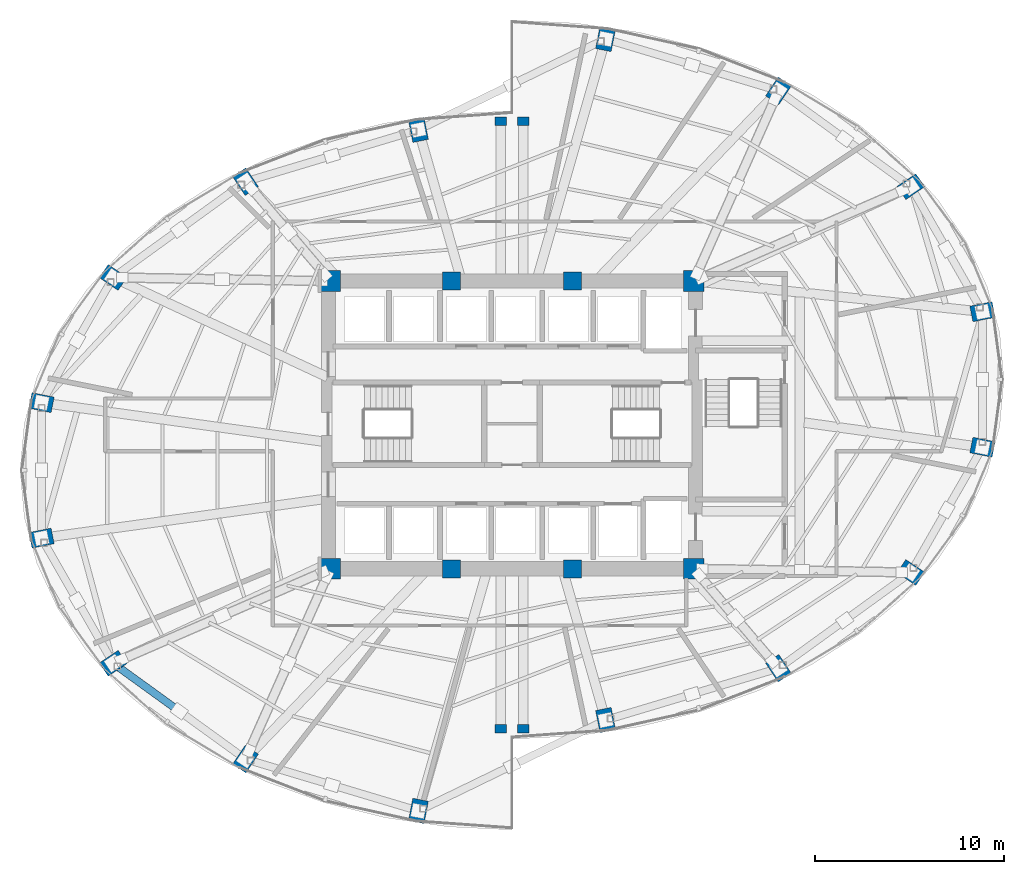
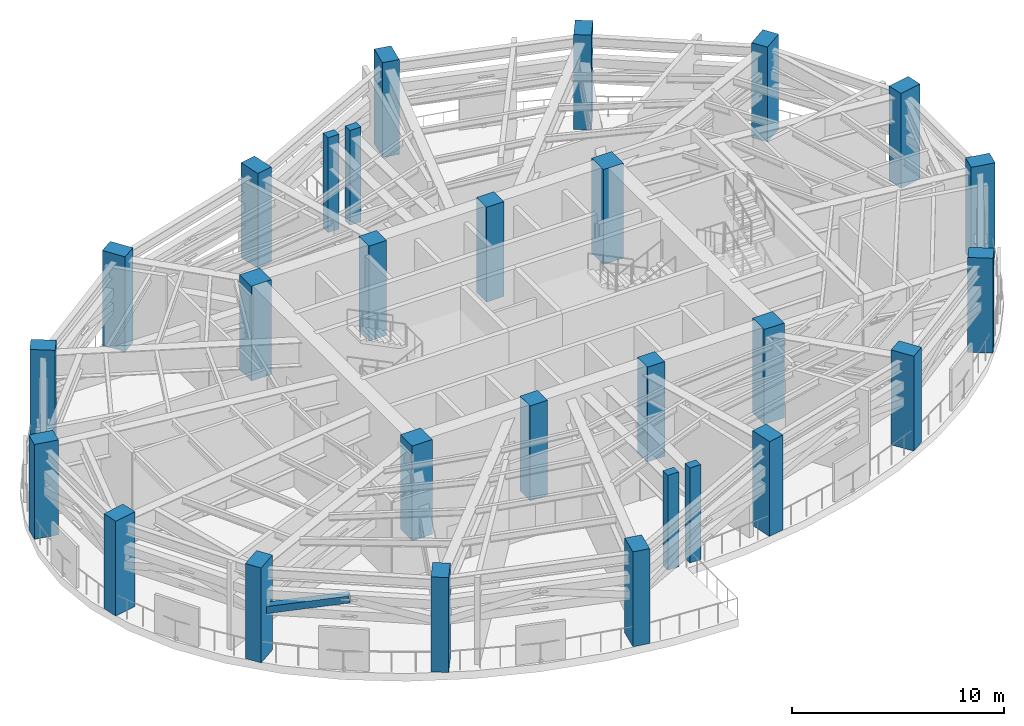
# One storey, part 1 of 12: 28 columns, 1 member.
"""IFC4 building model written with IfcOpenShell, lengths in metres."""

from ifc_helpers import new_model, si_unit, direction, frame, origin, origin_2d, place, context, subcontext, project, spatial, rectangle, hollow_rectangle, extrude, material, material_profile, profile_set, type_object, element, save


model = new_model("IFC4")

# Units and contexts
model_context = context("Model", 3, precision=1e-05, world=origin(), true_north=direction((0.0, 1.0)))
body_context = subcontext(model_context, "Body", "Model", "MODEL_VIEW")
ifc_project = project(units=[si_unit("LENGTHUNIT", "METRE"), si_unit("AREAUNIT", "SQUARE_METRE"), si_unit("VOLUMEUNIT", "CUBIC_METRE"), si_unit("PLANEANGLEUNIT", "RADIAN"), si_unit("MASSUNIT", "GRAM", prefix="KILO")], contexts=[model_context])

# Site, building, storey
site_placement = place(None, origin())
site = spatial("IfcSite", under=ifc_project, at=site_placement, CompositionType="ELEMENT")
building_placement = place(site_placement, origin())
building = spatial("IfcBuilding", under=site, at=building_placement, Name="Lazwardi Medical Tower", CompositionType="ELEMENT")
storey_placement = place(building_placement, frame((0.0, 0.0, 132.81591796875)))
storey = spatial("IfcBuildingStorey", under=building, at=storey_placement, Name="L34", CompositionType="ELEMENT", Elevation=132.81591796875)

# Columns
ifc_material_1 = material(Name="Concrete C80/95", Category="concrete")
ifc_material_profile_1 = material_profile(ifc_material_1, rectangle(XDim=1.10009765625, YDim=1.10009765625, at=origin_2d()), Name="RC 1100x1100")
ifc_profile_set_1 = profile_set([ifc_material_profile_1], Name="Concrete C80/95")
column_type_1 = type_object("IfcColumnType", Name="COL-CC-L", PredefinedType="COLUMN", material=ifc_profile_set_1)
for number, where, z_axis, x_axis, name in (
    (1, (26.39990234375, 20.39990234375, 0.0), (0.0, 0.0, 1.0), (1.0, 0.0, 0.0), "Core column CC-01 CC1 L34"),
    (2, (45.60009765625, 20.39990234375, 0.0), (0.0, 0.0, 1.0), (1.0, 0.0, 0.0), "Core column CC-01 CC4 L34"),
    (3, (45.60009765625, 35.60009765625, 0.0), (0.0, 0.0, 1.0), (1.0, 0.0, 0.0), "Core column CC-01 CC5 L34"),
    (4, (26.39990234375, 35.60009765625, 0.0), (0.0, 0.0, 1.0), (1.0, 0.0, 0.0), "Core column CC-01 CC8 L34"),
):
    element("IfcColumn", number, at=place(storey_placement, frame(where, z_axis=z_axis, x_axis=x_axis)), inside=storey, type_object=column_type_1, Name=name, PredefinedType="COLUMN", context=body_context, shape_type="SweptSolid", body=[
        extrude(rectangle(XDim=1.10009765625, YDim=1.10009765625, at=origin_2d()), origin(), (0.0, 0.0, 1.0), 5.47216796875),
    ])
ifc_material_2 = material(Name="Concrete C70/85", Category="concrete")
ifc_material_profile_2 = material_profile(ifc_material_2, rectangle(XDim=0.949951171875, YDim=0.949951171875, at=origin_2d()), Name="RC 950x950")
ifc_profile_set_2 = profile_set([ifc_material_profile_2], Name="Concrete C70/85")
column_type_2 = type_object("IfcColumnType", Name="COL-CC-M", PredefinedType="COLUMN", material=ifc_profile_set_2)
for number, where, z_axis, x_axis, name in (
    (5, (32.800048828125, 20.39990234375, 0.0), (0.0, 0.0, 1.0), (1.0, 0.0, 0.0), "Core column CC-02 CC2 L34"),
    (6, (39.199951171875, 20.39990234375, 0.0), (0.0, 0.0, 1.0), (1.0, 0.0, 0.0), "Core column CC-02 CC3 L34"),
    (7, (39.199951171875, 35.60009765625, 0.0), (0.0, 0.0, 1.0), (1.0, 0.0, 0.0), "Core column CC-02 CC6 L34"),
    (8, (32.800048828125, 35.60009765625, 0.0), (0.0, 0.0, 1.0), (1.0, 0.0, 0.0), "Core column CC-02 CC7 L34"),
):
    element("IfcColumn", number, at=place(storey_placement, frame(where, z_axis=z_axis, x_axis=x_axis)), inside=storey, type_object=column_type_2, Name=name, PredefinedType="COLUMN", context=body_context, shape_type="SweptSolid", body=[
        extrude(rectangle(XDim=0.949951171875, YDim=0.949951171875, at=origin_2d()), origin(), (0.0, 0.0, 1.0), 5.47216796875),
    ])
ifc_material_profile_3 = material_profile(ifc_material_2, rectangle(XDim=1.199951171875, YDim=0.840087890625, at=origin_2d()), Name="CFT-RECT 1200x840")
ifc_profile_set_3 = profile_set([ifc_material_profile_3], Name="Concrete C70/85")
column_type_3 = type_object("IfcColumnType", Name="COL-MC-Z2", PredefinedType="COLUMN", material=ifc_profile_set_3)
for number, where, z_axis, x_axis, name in (
    (9, (40.945556640625, 12.402587890625, 0.0), (0.0, 0.0, 1.0), (0.195090322016, -0.980785280403, 0.0), "Mega column MC-04 M01 L34"),
    (10, (50.083740234375, 15.142578125, 0.0), (0.0, 0.0, 1.0), (0.55557023302, -0.831469612303, 0.0), "Mega column MC-04 M02 L34"),
    (11, (57.077880859375, 20.205322265625, 0.0), (0.0, 0.0, 1.0), (0.831469612303, -0.55557023302, 0.0), "Mega column MC-04 M03 L34"),
    (12, (60.86279296875, 26.820068359375, 0.0), (0.0, 0.0, 1.0), (0.980785280403, -0.195090322016, 0.0), "Mega column MC-04 M04 L34"),
    (13, (60.86279296875, 33.97998046875, 0.0), (0.0, 0.0, 1.0), (0.980785280403, 0.195090322016, 0.0), "Mega column MC-04 M05 L34"),
    (14, (57.077880859375, 40.5947265625, 0.0), (0.0, 0.0, 1.0), (0.831469612303, 0.55557023302, 0.0), "Mega column MC-04 M06 L34"),
    (15, (50.083740234375, 45.657470703125, 0.0), (0.0, 0.0, 1.0), (0.55557023302, 0.831469612303, 0.0), "Mega column MC-04 M07 L34"),
    (16, (40.945556640625, 48.3974609375, 0.0), (0.0, 0.0, 1.0), (0.195090322016, 0.980785280403, 0.0), "Mega column MC-04 M08 L34"),
    (17, (31.054443359375, 43.597412109375, 0.0), (0.0, 0.0, 1.0), (-0.195090322016, 0.980785280403, 0.0), "Mega column MC-04 M09 L34"),
    (18, (21.916259765625, 40.857421875, 0.0), (0.0, 0.0, 1.0), (-0.55557023302, 0.831469612303, 0.0), "Mega column MC-04 M10 L34"),
    (19, (14.922119140625, 35.794677734375, 0.0), (0.0, 0.0, 1.0), (-0.831469612303, 0.55557023302, 0.0), "Mega column MC-04 M11 L34"),
    (20, (11.13720703125, 29.179931640625, 0.0), (0.0, 0.0, 1.0), (-0.980785280403, 0.195090322016, 0.0), "Mega column MC-04 M12 L34"),
    (21, (11.13720703125, 22.02001953125, 0.0), (0.0, 0.0, 1.0), (-0.980785280403, -0.195090322016, 0.0), "Mega column MC-04 M13 L34"),
    (22, (14.922119140625, 15.4052734375, 0.0), (0.0, 0.0, 1.0), (-0.831469612303, -0.55557023302, 0.0), "Mega column MC-04 M14 L34"),
    (23, (21.916259765625, 10.342529296875, 0.0), (0.0, 0.0, 1.0), (-0.55557023302, -0.831469612303, 0.0), "Mega column MC-04 M15 L34"),
    (24, (31.054443359375, 7.6025390625, 0.0), (0.0, 0.0, 1.0), (-0.195090322016, -0.980785280403, 0.0), "Mega column MC-04 M16 L34"),
):
    element("IfcColumn", number, at=place(storey_placement, frame(where, z_axis=z_axis, x_axis=x_axis)), inside=storey, type_object=column_type_3, Name=name, PredefinedType="COLUMN", context=body_context, shape_type="SweptSolid", body=[
        extrude(rectangle(XDim=1.199951171875, YDim=0.840087890625, at=origin_2d()), origin(), (0.0, 0.0, 1.0), 5.47216796875),
    ])
ifc_material_3 = material(Name="Concrete C60/75", Category="concrete")
ifc_material_profile_4 = material_profile(ifc_material_3, rectangle(XDim=0.60009765625, YDim=0.449951171875, at=origin_2d()), Name="RC 600x450")
ifc_profile_set_4 = profile_set([ifc_material_profile_4], Name="Concrete C60/75")
column_type_4 = type_object("IfcColumnType", Name="COL-PL-IW", PredefinedType="PILASTER", material=ifc_profile_set_4)
for number, where, z_axis, x_axis, name in (
    (25, (35.39990234375, 44.050048828125, 0.0), (0.0, 0.0, 1.0), (1.0, 0.0, 0.0), "Iwan pilaster column PL-C1 PL1 L34"),
    (26, (36.60009765625, 44.050048828125, 0.0), (0.0, 0.0, 1.0), (1.0, 0.0, 0.0), "Iwan pilaster column PL-C1 PL2 L34"),
    (27, (35.39990234375, 11.949951171875, 0.0), (0.0, 0.0, 1.0), (1.0, 0.0, 0.0), "Iwan pilaster column PL-C1 PL3 L34"),
    (28, (36.60009765625, 11.949951171875, 0.0), (0.0, 0.0, 1.0), (1.0, 0.0, 0.0), "Iwan pilaster column PL-C1 PL4 L34"),
):
    element("IfcColumn", number, at=place(storey_placement, frame(where, z_axis=z_axis, x_axis=x_axis)), inside=storey, type_object=column_type_4, Name=name, PredefinedType="PILASTER", context=body_context, shape_type="SweptSolid", body=[
        extrude(rectangle(XDim=0.60009765625, YDim=0.449951171875, at=origin_2d()), origin(), (0.0, 0.0, 1.0), 5.47216796875),
    ])

# Member
ifc_material_4 = material(Name="Steel S460", Category="steel")
ifc_material_profile_5 = material_profile(ifc_material_4, hollow_rectangle(XDim=0.39990234375, YDim=0.39990234375, WallThickness=0.02001953125, at=origin_2d()), Name="RHS 400x400x20")
ifc_profile_set_5 = profile_set([ifc_material_profile_5], Name="Steel S460")
member_type = type_object("IfcMemberType", Name="MEM-BD-01", PredefinedType="BRACE", material=ifc_profile_set_5)
member_placement = place(storey_placement, frame((15.14892578125, 15.2412109375, 2.68017578125), z_axis=(0.789780228947, -0.571743104151, 0.222164382432), x_axis=(0.586397636031, 0.810023340687, 0.0)))
element("IfcMember", 29, at=member_placement, inside=storey, type_object=member_type, Name="Belt truss diagonal BD-01 B14A L34", PredefinedType="BRACE", context=body_context, shape_type="SweptSolid", body=[
    extrude(hollow_rectangle(XDim=0.39990234375, YDim=0.39990234375, WallThickness=0.02001953125, at=origin_2d()), origin(), (0.0, 0.0, 1.0), 4.140625),
])

save(model, "model.ifc")
